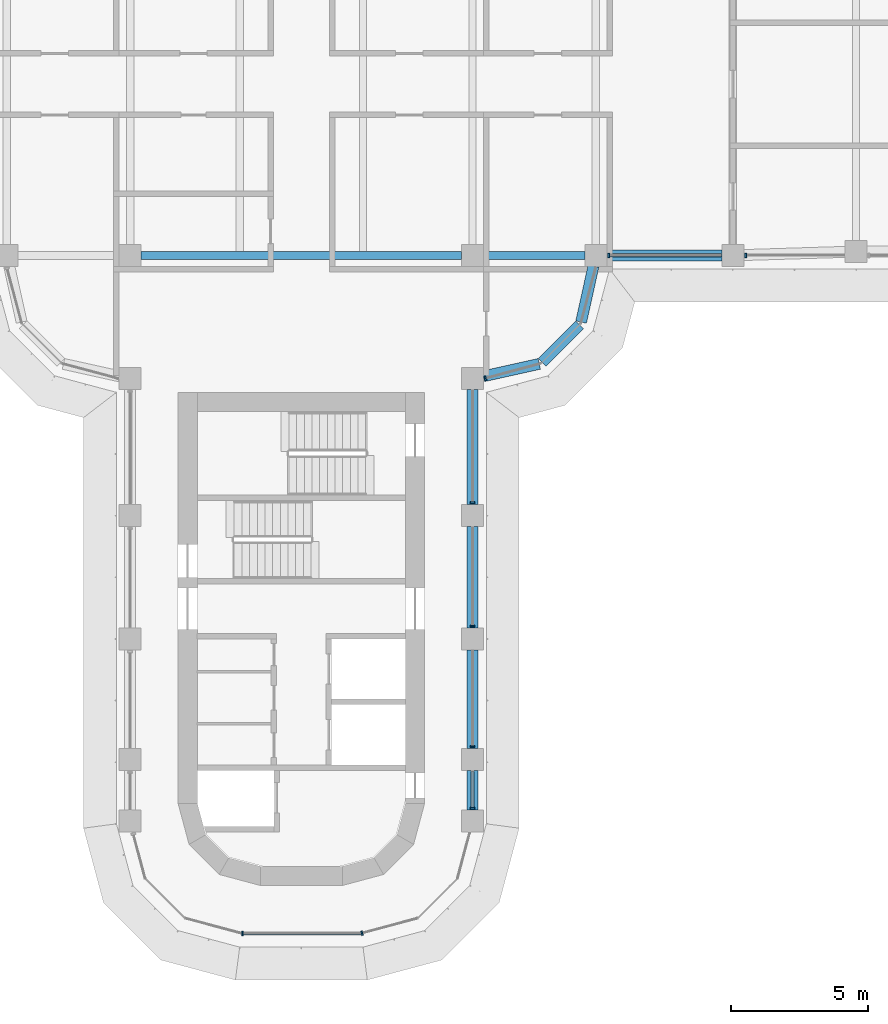
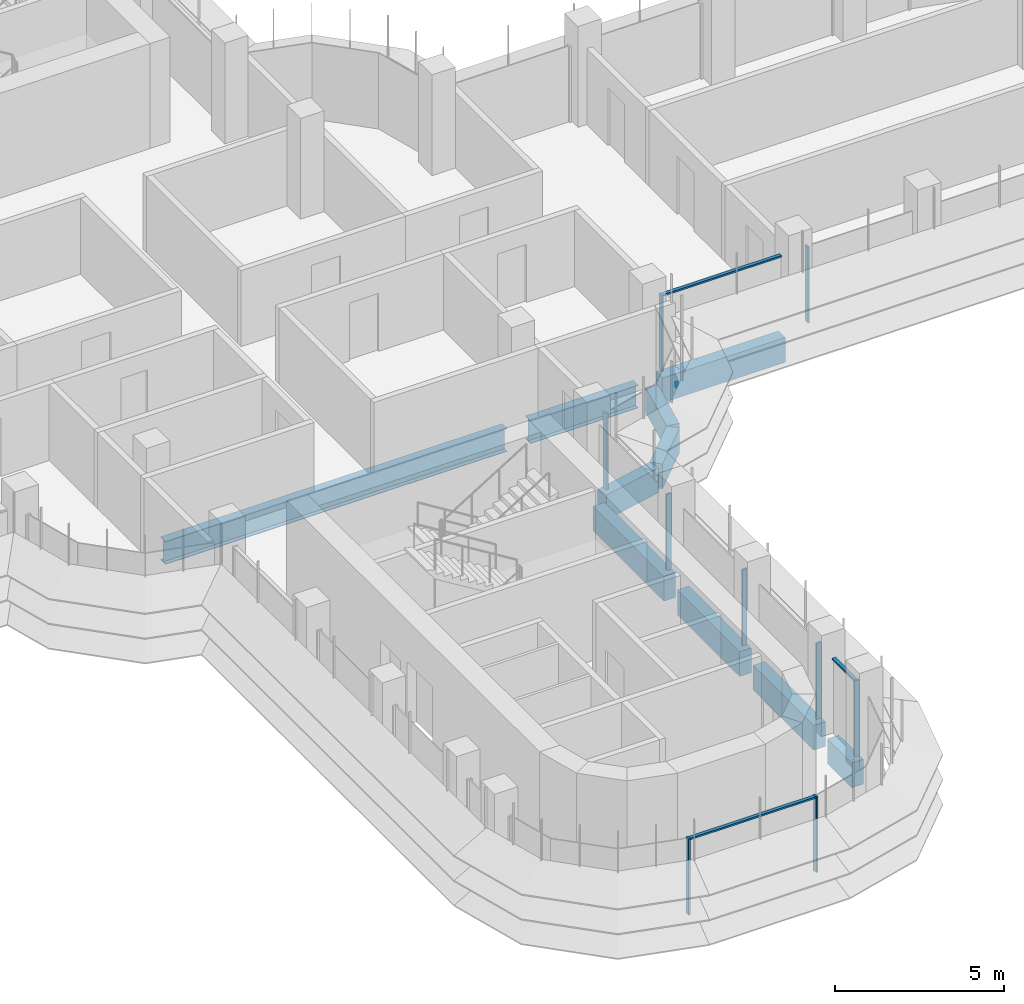
# One storey, part 4 of 19: 12 members, 10 beams, 5 elements without a shape of their own.
"""IFC4 building model written with IfcOpenShell, lengths in metres."""

from ifc_helpers import new_model, si_unit, direction, frame, origin, origin_2d, place, context, subcontext, project, spatial, polyline, rectangle, i_section, outline, extrude, source, transform, mapped, material, material_profile, profile_set, type_object, element, aggregate, save


model = new_model("IFC4")

# Units and contexts
model_context = context("Model", 3, precision=1e-05, world=origin(), true_north=direction((0.0, 1.0)))
body_context = subcontext(model_context, "Body", "Model", "MODEL_VIEW")
ifc_project = project(units=[si_unit("LENGTHUNIT", "METRE"), si_unit("AREAUNIT", "SQUARE_METRE"), si_unit("VOLUMEUNIT", "CUBIC_METRE"), si_unit("PLANEANGLEUNIT", "RADIAN"), si_unit("MASSUNIT", "GRAM", prefix="KILO")], contexts=[model_context])

# Site, building, storey
site_placement = place(None, origin())
site = spatial("IfcSite", under=ifc_project, at=site_placement, CompositionType="ELEMENT")
building_placement = place(site_placement, origin())
building = spatial("IfcBuilding", under=site, at=building_placement, Name="Zarbagh Exchange Tower", CompositionType="ELEMENT")
storey_placement = place(building_placement, frame((0.0, 0.0, 171.39990234375)))
storey = spatial("IfcBuildingStorey", under=building, at=storey_placement, Name="L41", CompositionType="ELEMENT", Elevation=171.39990234375)

# Beams
ifc_material_1 = material(Name="Steel ASTM A992 Gr 50", Category="steel")
ifc_material_profile_1 = material_profile(ifc_material_1, i_section(OverallWidth=0.2919921875, OverallDepth=0.835693359375, WebThickness=0.013916015625, FlangeThickness=0.018798828125, at=origin_2d()), Name="W33X118")
ifc_profile_set_1 = profile_set([ifc_material_profile_1], Name="Steel ASTM A992 Gr 50")
beam_type_1 = type_object("IfcBeamType", Name="Floor girder W33X118", PredefinedType="BEAM", material=ifc_profile_set_1)
beam_1_placement = place(storey_placement, frame((-5.85009765625, -6.25, -0.567626953125), z_axis=(1.0, 0.0, 0.0), x_axis=(0.0, 1.0, 0.0)))
element("IfcBeam", 1, at=beam_1_placement, inside=storey, type_object=beam_type_1, Name="Steel girder", PredefinedType="BEAM", context=body_context, shape_type="SweptSolid", body=[
    extrude(i_section(OverallWidth=0.2919921875, OverallDepth=0.835693359375, WebThickness=0.013916015625, FlangeThickness=0.018798828125, at=origin_2d()), origin(), (0.0, 0.0, 1.0), 11.7001953125),
])
beam_2_placement = place(storey_placement, frame((6.64990234375, -6.25, -0.567626953125), z_axis=(1.0, 0.0, 0.0), x_axis=(0.0, 1.0, 0.0)))
element("IfcBeam", 2, at=beam_2_placement, inside=storey, type_object=beam_type_1, Name="Steel girder", PredefinedType="BEAM", context=body_context, shape_type="SweptSolid", body=[
    extrude(i_section(OverallWidth=0.2919921875, OverallDepth=0.835693359375, WebThickness=0.013916015625, FlangeThickness=0.018798828125, at=origin_2d()), origin(), (0.0, 0.0, 1.0), 3.7001953125),
])
ifc_material_2 = material(Name="Concrete C50/60", Category="concrete")
ifc_material_profile_2 = material_profile(ifc_material_2, rectangle(XDim=0.39990234375, YDim=0.89990234375, at=origin_2d()), Name="RC spandrel beam 400 x 900 C50/60")
ifc_profile_set_2 = profile_set([ifc_material_profile_2], Name="Concrete C50/60")
beam_type_2 = type_object("IfcBeamType", Name="RC spandrel beam 400 x 900 C50/60", PredefinedType="SPANDREL", material=ifc_profile_set_2)
beam_3_placement = place(storey_placement, frame((15.35009765625, -6.25, -0.599853515625), z_axis=(-1.0, 0.0, 0.0), x_axis=(0.0, -1.0, 0.0)))
element("IfcBeam", 3, at=beam_3_placement, inside=storey, type_object=beam_type_2, Name="RC spandrel beam", PredefinedType="SPANDREL", context=body_context, shape_type="SweptSolid", body=[
    extrude(rectangle(XDim=0.39990234375, YDim=0.89990234375, at=origin_2d()), origin(), (0.0, 0.0, 1.0), 4.2001953125),
])
beam_4_placement = place(storey_placement, frame((10.66357421875, -6.640625, -0.599853515625), z_axis=(-0.216041061437, -0.976384278741, 0.0), x_axis=(0.976384278741, -0.216041061437, 0.0)))
element("IfcBeam", 4, at=beam_4_placement, inside=storey, type_object=beam_type_2, Name="RC spandrel beam", PredefinedType="SPANDREL", context=body_context, shape_type="SweptSolid", body=[
    extrude(rectangle(XDim=0.39990234375, YDim=0.89990234375, at=origin_2d()), origin(), (0.0, 0.0, 1.0), 2.0927734375),
])
beam_5_placement = place(storey_placement, frame((10.15771484375, -8.782470703125, -0.599853515625), z_axis=(-0.707106781187, -0.707106781187, 0.0), x_axis=(0.707106781187, -0.707106781187, 0.0)))
element("IfcBeam", 5, at=beam_5_placement, inside=storey, type_object=beam_type_2, Name="RC spandrel beam", PredefinedType="SPANDREL", context=body_context, shape_type="SweptSolid", body=[
    extrude(rectangle(XDim=0.39990234375, YDim=0.89990234375, at=origin_2d()), origin(), (0.0, 0.0, 1.0), 1.94482421875),
])
beam_6_placement = place(storey_placement, frame((8.68408203125, -10.21142578125, -0.599853515625), z_axis=(-0.976384278741, -0.216041061437, 0.0), x_axis=(0.216041061437, -0.976384278741, 0.0)))
element("IfcBeam", 6, at=beam_6_placement, inside=storey, type_object=beam_type_2, Name="RC spandrel beam", PredefinedType="SPANDREL", context=body_context, shape_type="SweptSolid", body=[
    extrude(rectangle(XDim=0.39990234375, YDim=0.89990234375, at=origin_2d()), origin(), (0.0, 0.0, 1.0), 2.0927734375),
])
beam_7_placement = place(storey_placement, frame((6.25, -11.14990234375, -0.599853515625), z_axis=(0.0, -1.0, 0.0), x_axis=(1.0, 0.0, 0.0)))
element("IfcBeam", 7, at=beam_7_placement, inside=storey, type_object=beam_type_2, Name="RC spandrel beam", PredefinedType="SPANDREL", context=body_context, shape_type="SweptSolid", body=[
    extrude(rectangle(XDim=0.39990234375, YDim=0.89990234375, at=origin_2d()), origin(), (0.0, 0.0, 1.0), 4.2001953125),
])
beam_8_placement = place(storey_placement, frame((6.25, -16.14990234375, -0.599853515625), z_axis=(0.0, -1.0, 0.0), x_axis=(1.0, 0.0, 0.0)))
element("IfcBeam", 8, at=beam_8_placement, inside=storey, type_object=beam_type_2, Name="RC spandrel beam", PredefinedType="SPANDREL", context=body_context, shape_type="SweptSolid", body=[
    extrude(rectangle(XDim=0.39990234375, YDim=0.89990234375, at=origin_2d()), origin(), (0.0, 0.0, 1.0), 3.7001953125),
])
beam_9_placement = place(storey_placement, frame((6.25, -20.64990234375, -0.599853515625), z_axis=(0.0, -1.0, 0.0), x_axis=(1.0, 0.0, 0.0)))
element("IfcBeam", 9, at=beam_9_placement, inside=storey, type_object=beam_type_2, Name="RC spandrel beam", PredefinedType="SPANDREL", context=body_context, shape_type="SweptSolid", body=[
    extrude(rectangle(XDim=0.39990234375, YDim=0.89990234375, at=origin_2d()), origin(), (0.0, 0.0, 1.0), 3.60009765625),
])
beam_10_placement = place(storey_placement, frame((6.25, -25.050048828125, -0.599853515625), z_axis=(0.0, -1.0, 0.0), x_axis=(1.0, 0.0, 0.0)))
element("IfcBeam", 10, at=beam_10_placement, inside=storey, type_object=beam_type_2, Name="RC spandrel beam", PredefinedType="SPANDREL", context=body_context, shape_type="SweptSolid", body=[
    extrude(rectangle(XDim=0.39990234375, YDim=0.89990234375, at=origin_2d()), origin(), (0.0, 0.0, 1.0), 1.449951171875),
])

# Curtain wall, member
ifc_material_3 = material(Name="Anodised aluminium frame and glazing", Category="aluminium")
curtain_wall_type = type_object("IfcCurtainWallType", Name="CWB Ribbon glazing, upper zones", PredefinedType="NOTDEFINED", material=ifc_material_3)
curtain_wall_1_placement = place(storey_placement, origin())
curtain_wall_1 = element("IfcCurtainWall", 11, at=curtain_wall_1_placement, inside=storey, type_object=curtain_wall_type, Name="CWB49 curtain wall", PredefinedType="NOTDEFINED")
ifc_material_4 = material(Name="Anodised aluminium frame", Category="aluminium")
member_type_1 = type_object("IfcMemberType", Name="MUB Mullion, anodised aluminium frame", PredefinedType="MULLION", material=ifc_material_4)
shared_shape_1 = source(origin(), body_context, "Body", "SweptSolid", [
    extrude(outline(polyline([(0.0, -0.080078125), (0.06005859375, -0.080078125), (0.06005859375, 0.080078125), (0.0, 0.080078125), (0.0, -0.080078125)])), origin(), (0.0, 0.0, 1.0), 2.75),
])
placement = place(storey_placement, origin())
member_1 = element("IfcMember", 12, at=placement, type_object=member_type_1, Name="CWB49 mullion 1.1", PredefinedType="MULLION", context=body_context, shape_type="MappedRepresentation", body=[
    mapped(shared_shape_1, transform((2.18408203125, -31.0, 0.0), x_axis=(0.965924289636, 0.258824779902, 0.0), y_axis=(-0.258824779902, 0.965924289636, 0.0), z_axis=(0.0, 0.0, 1.0))),
])
aggregate(curtain_wall_1, [member_1])

# Curtain wall, members
curtain_wall_2_placement = place(storey_placement, origin())
curtain_wall_2 = element("IfcCurtainWall", 13, at=curtain_wall_2_placement, inside=storey, type_object=curtain_wall_type, Name="CWB52 curtain wall", PredefinedType="NOTDEFINED")
member_2 = element("IfcMember", 14, at=placement, type_object=member_type_1, Name="CWB52 mullion 1.1", PredefinedType="MULLION", context=body_context, shape_type="MappedRepresentation", body=[
    mapped(shared_shape_1, transform((6.25, -26.4599609375, 0.0), x_axis=(0.0, 1.0, 0.0), y_axis=(-1.0, 0.0, 0.0), z_axis=(0.0, 0.0, 1.0))),
])
member_3 = element("IfcMember", 15, at=placement, type_object=member_type_1, Name="CWB52 mullion 2.1", PredefinedType="MULLION", context=body_context, shape_type="MappedRepresentation", body=[
    mapped(shared_shape_1, transform((6.25, -24.2099609375, 0.0), x_axis=(0.0, 1.0, 0.0), y_axis=(-1.0, 0.0, 0.0), z_axis=(0.0, 0.0, 1.0))),
])
member_4 = element("IfcMember", 16, at=placement, type_object=member_type_1, Name="CWB52 mullion 3.1", PredefinedType="MULLION", context=body_context, shape_type="MappedRepresentation", body=[
    mapped(shared_shape_1, transform((6.25, -19.81005859375, 0.0), x_axis=(0.0, 1.0, 0.0), y_axis=(-1.0, 0.0, 0.0), z_axis=(0.0, 0.0, 1.0))),
])
member_5 = element("IfcMember", 17, at=placement, type_object=member_type_1, Name="CWB52 mullion 4.1", PredefinedType="MULLION", context=body_context, shape_type="MappedRepresentation", body=[
    mapped(shared_shape_1, transform((6.25, -15.31005859375, 0.0), x_axis=(0.0, 1.0, 0.0), y_axis=(-1.0, 0.0, 0.0), z_axis=(0.0, 0.0, 1.0))),
])

# Curtain wall, member
curtain_wall_3_placement = place(storey_placement, origin())
curtain_wall_3 = element("IfcCurtainWall", 18, at=curtain_wall_3_placement, inside=storey, type_object=curtain_wall_type, Name="CWB05 curtain wall", PredefinedType="NOTDEFINED")
member_6 = element("IfcMember", 19, at=placement, type_object=member_type_1, Name="CWB05 mullion 1.1", PredefinedType="MULLION", context=body_context, shape_type="MappedRepresentation", body=[
    mapped(shared_shape_1, transform((6.68994140625, -10.74853515625, 0.0), x_axis=(0.965924289636, 0.258824779902, 0.0), y_axis=(-0.258824779902, 0.965924289636, 0.0), z_axis=(0.0, 0.0, 1.0))),
])
aggregate(curtain_wall_3, [member_6])

# Curtain wall, members
curtain_wall_4_placement = place(storey_placement, origin())
curtain_wall_4 = element("IfcCurtainWall", 20, at=curtain_wall_4_placement, inside=storey, type_object=curtain_wall_type, Name="CWB08 curtain wall", PredefinedType="NOTDEFINED")
member_7 = element("IfcMember", 21, at=placement, type_object=member_type_1, Name="CWB08 mullion 1.1", PredefinedType="MULLION", context=body_context, shape_type="MappedRepresentation", body=[
    mapped(shared_shape_1, transform((11.18994140625, -6.25, 0.0), x_axis=(1.0, 0.0, 0.0), y_axis=(0.0, 1.0, 0.0), z_axis=(0.0, 0.0, 1.0))),
])
member_8 = element("IfcMember", 22, at=placement, type_object=member_type_1, Name="CWB08 mullion 2.1", PredefinedType="MULLION", context=body_context, shape_type="MappedRepresentation", body=[
    mapped(shared_shape_1, transform((16.18994140625, -6.25, 0.0), x_axis=(1.0, 0.0, 0.0), y_axis=(0.0, 1.0, 0.0), z_axis=(0.0, 0.0, 1.0))),
])

curtain_wall_5_placement = place(storey_placement, origin())
curtain_wall_5 = element("IfcCurtainWall", 23, at=curtain_wall_5_placement, inside=storey, type_object=curtain_wall_type, Name="CWB57 curtain wall", PredefinedType="NOTDEFINED")
member_9 = element("IfcMember", 24, at=placement, type_object=member_type_1, Name="CWB57 mullion 1.1", PredefinedType="MULLION", context=body_context, shape_type="MappedRepresentation", body=[
    mapped(shared_shape_1, transform((-2.18408203125, -31.0, 0.0), x_axis=(1.0, 0.0, 0.0), y_axis=(0.0, 1.0, 0.0), z_axis=(0.0, 0.0, 1.0))),
])
member_type_2 = type_object("IfcMemberType", Name="TRB Transom, anodised aluminium frame", PredefinedType="USERDEFINED", material=ifc_material_4)
shared_shape_2 = source(origin(), body_context, "Body", "SweptSolid", [
    extrude(outline(polyline([(-0.06005859375, -0.06005859375), (0.0, -0.06005859375), (0.0, 0.06005859375), (-0.06005859375, 0.06005859375), (-0.06005859375, -0.06005859375)])), origin(), (0.0, 0.0, 1.0), 4.308349609375),
])
member_10 = element("IfcMember", 25, at=placement, type_object=member_type_2, Name="CWB57 transom 1.1", ObjectType="TRANSOM", PredefinedType="USERDEFINED", context=body_context, shape_type="MappedRepresentation", body=[
    mapped(shared_shape_2, transform((-2.124267578125, -31.0, 2.75), x_axis=(0.0, 0.0, 1.0), y_axis=(0.0, -1.0, 0.0), z_axis=(1.0, 0.0, 0.0))),
])
aggregate(curtain_wall_5, [member_9, member_10])

# Member
shared_shape_3 = source(origin(), body_context, "Body", "SweptSolid", [
    extrude(outline(polyline([(-0.06005859375, -0.06005859375), (0.0, -0.06005859375), (0.0, 0.06005859375), (-0.06005859375, 0.06005859375), (-0.06005859375, -0.06005859375)])), origin(), (0.0, 0.0, 1.0), 4.06005859375),
])
member_11 = element("IfcMember", 26, at=placement, type_object=member_type_2, Name="CWB08 transom 1.1", ObjectType="TRANSOM", PredefinedType="USERDEFINED", context=body_context, shape_type="MappedRepresentation", body=[
    mapped(shared_shape_3, transform((11.25, -6.25, 2.75), x_axis=(0.0, 0.0, 1.0), y_axis=(0.0, -1.0, 0.0), z_axis=(1.0, 0.0, 0.0))),
])

aggregate(curtain_wall_4, [member_7, member_11, member_8])

shared_shape_4 = source(origin(), body_context, "Body", "SweptSolid", [
    extrude(outline(polyline([(-0.06005859375, -0.06005859375), (0.0, -0.06005859375), (0.0, 0.06005859375), (-0.06005859375, 0.06005859375), (-0.06005859375, -0.06005859375)])), origin(), (0.0, 0.0, 1.0), 1.31005859375),
])
member_12 = element("IfcMember", 27, at=placement, type_object=member_type_2, Name="CWB52 transom 1.1", ObjectType="TRANSOM", PredefinedType="USERDEFINED", context=body_context, shape_type="MappedRepresentation", body=[
    mapped(shared_shape_4, transform((6.25, -26.39990234375, 2.75), x_axis=(0.0, 0.0, 1.0), y_axis=(1.0, 0.0, 0.0), z_axis=(0.0, 1.0, 0.0))),
])

aggregate(curtain_wall_2, [member_2, member_12, member_3, member_4, member_5])

save(model, "model.ifc")
